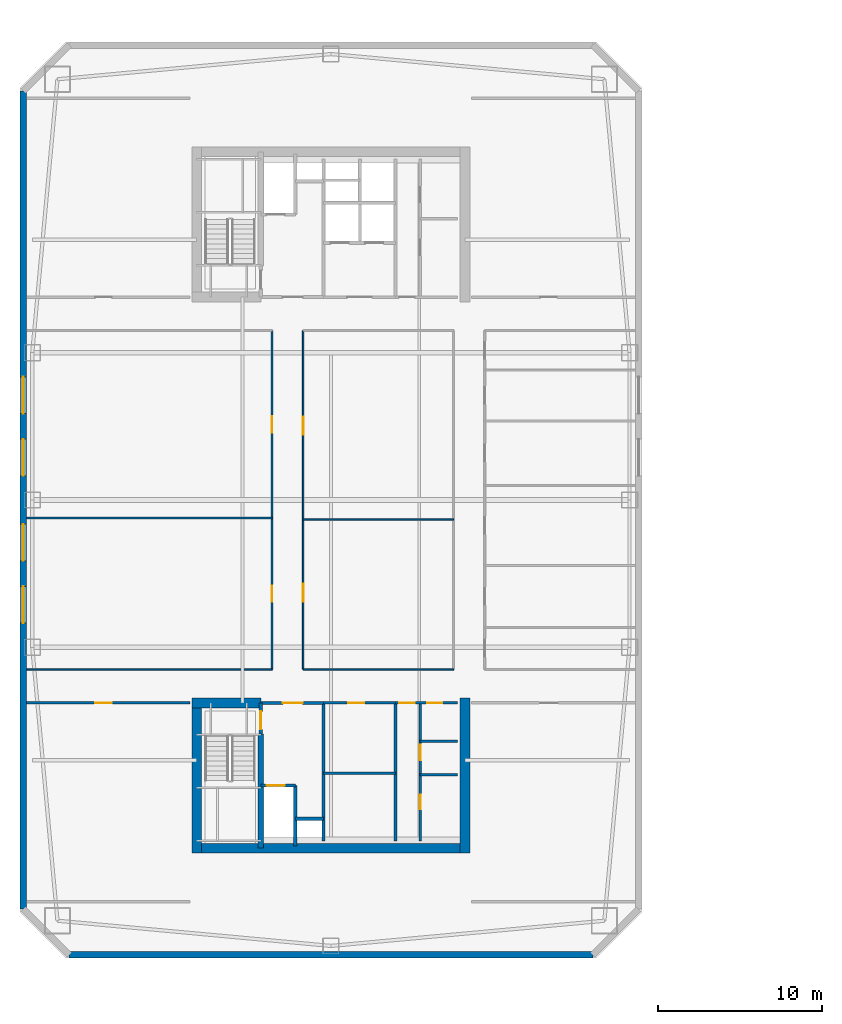
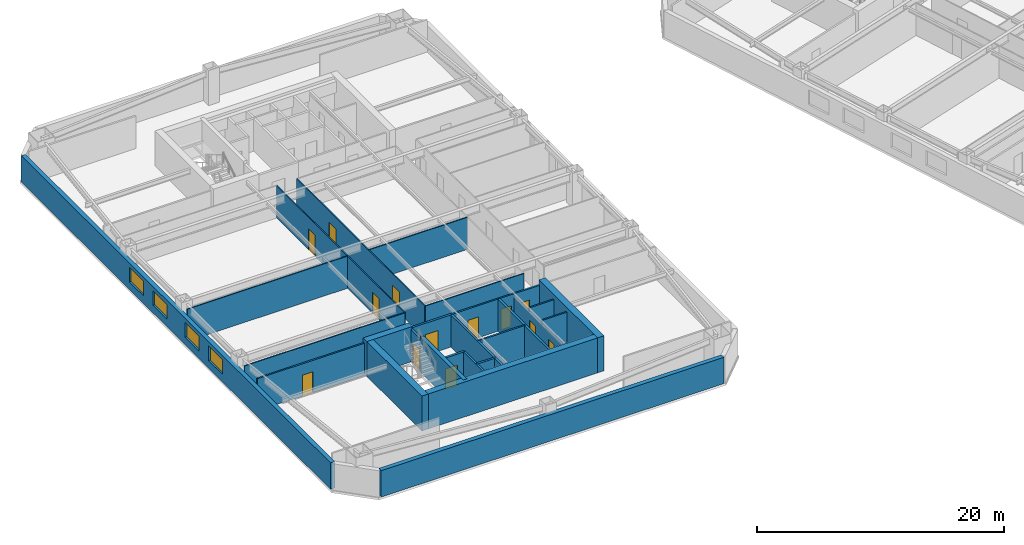
# One storey, part 3 of 10: 27 walls, 13 doors, 4 windows, 17 openings.
"""IFC4 building model written with IfcOpenShell, lengths in metres."""

from ifc_helpers import new_model, si_unit, direction, frame, frame_2d, origin, place, context, subcontext, project, spatial, rectangle, extrude, material, layer, layer_set, type_object, element, fill, save


model = new_model("IFC4")

# Units and contexts
model_context = context("Model", 3, precision=1e-05, world=origin(), true_north=direction((0.0, 1.0)))
body_context = subcontext(model_context, "Body", "Model", "MODEL_VIEW")
ifc_project = project(units=[si_unit("LENGTHUNIT", "METRE"), si_unit("AREAUNIT", "SQUARE_METRE"), si_unit("VOLUMEUNIT", "CUBIC_METRE"), si_unit("PLANEANGLEUNIT", "RADIAN"), si_unit("MASSUNIT", "GRAM", prefix="KILO")], contexts=[model_context])

# Site, building, storey
site_placement = place(None, origin())
site = spatial("IfcSite", under=ifc_project, at=site_placement, CompositionType="ELEMENT")
building_placement = place(site_placement, origin())
building = spatial("IfcBuilding", under=site, at=building_placement, Name="Qiaolan Cultural Towers", CompositionType="ELEMENT")
storey_placement = place(building_placement, frame((0.0, 0.0, 127.64990234375)))
storey = spatial("IfcBuildingStorey", under=building, at=storey_placement, Name="L33", CompositionType="ELEMENT", Elevation=127.64990234375)

# Walls
ifc_material_1 = material(Name="Concrete C50", Category="concrete")
ifc_layer_1 = layer(ifc_material_1, 0.35009765625)
ifc_layer_set_1 = layer_set([ifc_layer_1], Name="Concrete C50")
wall_type_1 = type_object("IfcWallType", Name="WL-CORE-350", PredefinedType="SHEAR", material=ifc_layer_set_1)
wall_1_placement = place(storey_placement, frame((25.719970703125, 19.699951171875, 0.0), z_axis=(0.0, 0.0, 1.0), x_axis=(0.0, -1.0, 0.0)))
element("IfcWall", 1, at=wall_1_placement, inside=storey, type_object=wall_type_1, Name="L33 T1-CS Stair Core Dividing Web", PredefinedType="SHEAR", context=body_context, shape_type="SweptSolid", body=[
    extrude(rectangle(XDim=6.97998046875, YDim=0.35009765625, at=frame_2d((3.489990234375, 0.0))), origin(), (0.0, 0.0, 1.0), 3.4501953125),
])
ifc_material_2 = material(Name="Concrete C55", Category="concrete")
ifc_layer_2 = layer(ifc_material_2, 0.60009765625)
ifc_layer_set_2 = layer_set([ifc_layer_2], Name="Concrete C55")
wall_type_2 = type_object("IfcWallType", Name="WL-CORE-600", PredefinedType="SHEAR", material=ifc_layer_set_2)
wall_2_placement = place(storey_placement, frame((21.5, 12.719970703125, 0.0), z_axis=(0.0, 0.0, 1.0), x_axis=(1.0, 0.0, 0.0)))
element("IfcWall", 2, at=wall_2_placement, inside=storey, type_object=wall_type_2, Name="L33 T1-CS Outer Core Shear Wall", PredefinedType="SHEAR", context=body_context, shape_type="SweptSolid", body=[
    extrude(rectangle(XDim=17.0, YDim=0.60009765625, at=frame_2d((8.5, 0.0))), origin(), (0.0, 0.0, 1.0), 3.4501953125),
])
for number, where, z_axis, x_axis, name in (
    (3, (21.800048828125, 21.89990234375, 0.0), (0.0, 0.0, 1.0), (0.0, -1.0, 0.0), "L33 T1-CS West Core Shear Wall"),
    (4, (38.199951171875, 21.89990234375, 0.0), (0.0, 0.0, 1.0), (0.0, -1.0, 0.0), "L33 T1-CS East Core Shear Wall"),
):
    element("IfcWall", number, at=place(storey_placement, frame(where, z_axis=z_axis, x_axis=x_axis)), inside=storey, type_object=wall_type_2, Name=name, PredefinedType="SHEAR", context=body_context, shape_type="SweptSolid", body=[
        extrude(rectangle(XDim=9.47998046875, YDim=0.60009765625, at=frame_2d((4.739990234375, 0.0))), origin(), (0.0, 0.0, 1.0), 3.4501953125),
    ])
wall_3_placement = place(storey_placement, frame((21.5, 21.60009765625, 0.0), z_axis=(0.0, 0.0, 1.0), x_axis=(1.0, 0.0, 0.0)))
element("IfcWall", 5, at=wall_3_placement, inside=storey, type_object=wall_type_2, Name="L33 T1-CS Stair Front Shear Wall", PredefinedType="SHEAR", context=body_context, shape_type="SweptSolid", body=[
    extrude(rectangle(XDim=4.219970703125, YDim=0.60009765625, at=frame_2d((2.10986328125, 0.0))), origin(), (0.0, 0.0, 1.0), 3.4501953125),
])

# Wall, openings, windows
ifc_material_3 = material(Name="Precast Concrete C50 Honed Stone Pier", Category="masonry")
ifc_layer_3 = layer(ifc_material_3, 0.39990234375)
ifc_layer_set_3 = layer_set([ifc_layer_3], Name="Precast Concrete C50 Honed Stone Pier")
wall_type_3 = type_object("IfcWallType", Name="WL-EXT-PIER-400", PredefinedType="SOLIDWALL", material=ifc_layer_set_3)
wall_4_placement = place(storey_placement, frame((11.199951171875, 9.0, 0.0), z_axis=(0.0, 0.0, 1.0), x_axis=(0.0, 1.0, 0.0)))
wall_4 = element("IfcWall", 6, at=wall_4_placement, inside=storey, type_object=wall_type_3, Name="L33 West Tower Precast Pier Facade Wall F1", PredefinedType="SOLIDWALL", context=body_context, shape_type="SweptSolid", body=[
    extrude(rectangle(XDim=50.0, YDim=0.39990234375, at=frame_2d((25.0, 0.0))), origin(), (0.0, 0.0, 1.0), 2.610107421875),
])
opening_1_placement = place(wall_4_placement, frame((17.47509765625, 0.0, 0.75)))
opening_1 = element("IfcOpeningElement", 7, at=opening_1_placement, cuts=wall_4, Name="Opening W-03", PredefinedType="OPENING", context=body_context, shape_type="SweptSolid", body=[
    extrude(rectangle(XDim=2.25, YDim=1.4599609375, at=frame_2d((1.125, 0.72998046875))), frame((0.0, 0.2099609375, 0.0), z_axis=(0.0, -1.0, 0.0), x_axis=(1.0, 0.0, 0.0)), (0.0, 0.0, 1.0), 0.419921875),
])
opening_2_placement = place(wall_4_placement, frame((21.27490234375, 0.0, 0.75)))
opening_2 = element("IfcOpeningElement", 8, at=opening_2_placement, cuts=wall_4, Name="Opening W-03", PredefinedType="OPENING", context=body_context, shape_type="SweptSolid", body=[
    extrude(rectangle(XDim=2.25, YDim=1.4599609375, at=frame_2d((1.125, 0.72998046875))), frame((0.0, 0.2099609375, 0.0), z_axis=(0.0, -1.0, 0.0), x_axis=(1.0, 0.0, 0.0)), (0.0, 0.0, 1.0), 0.419921875),
])
opening_3_placement = place(wall_4_placement, frame((26.47509765625, 0.0, 0.75)))
opening_3 = element("IfcOpeningElement", 9, at=opening_3_placement, cuts=wall_4, Name="Opening W-03", PredefinedType="OPENING", context=body_context, shape_type="SweptSolid", body=[
    extrude(rectangle(XDim=2.25, YDim=1.4599609375, at=frame_2d((1.125, 0.72998046875))), frame((0.0, 0.2099609375, 0.0), z_axis=(0.0, -1.0, 0.0), x_axis=(1.0, 0.0, 0.0)), (0.0, 0.0, 1.0), 0.419921875),
])
opening_4_placement = place(wall_4_placement, frame((30.27490234375, 0.0, 0.75)))
opening_4 = element("IfcOpeningElement", 10, at=opening_4_placement, cuts=wall_4, Name="Opening W-03", PredefinedType="OPENING", context=body_context, shape_type="SweptSolid", body=[
    extrude(rectangle(XDim=2.25, YDim=1.4599609375, at=frame_2d((1.125, 0.72998046875))), frame((0.0, 0.2099609375, 0.0), z_axis=(0.0, -1.0, 0.0), x_axis=(1.0, 0.0, 0.0)), (0.0, 0.0, 1.0), 0.419921875),
])
ifc_material_4 = material(Name="Thermally Broken Aluminium Triple Low-E Glazing", Category="aluminium")
window_type = type_object("IfcWindowType", Name="WN-CHIC-2250", PartitioningType="SINGLE_PANEL", PredefinedType="WINDOW", material=ifc_material_4)
window_1_placement = place(opening_1_placement, origin())
window_1 = element("IfcWindow", 11, at=window_1_placement, inside=storey, type_object=window_type, Name="L33 T1 W Chicago Bay Window 1", OverallHeight=1.4599609375, OverallWidth=2.25, PartitioningType="TRIPLE_PANEL_VERTICAL", PredefinedType="WINDOW", context=body_context, shape_type="SweptSolid", body=[
    extrude(rectangle(XDim=2.25, YDim=1.4599609375, at=frame_2d((1.125, 0.72998046875))), frame((0.0, 0.030029296875, 0.0), z_axis=(0.0, -1.0, 0.0), x_axis=(1.0, 0.0, 0.0)), (0.0, 0.0, 1.0), 0.06005859375),
])
fill(opening_1, window_1)
window_2_placement = place(opening_2_placement, origin())
window_2 = element("IfcWindow", 12, at=window_2_placement, inside=storey, type_object=window_type, Name="L33 T1 W Chicago Bay Window 2", OverallHeight=1.4599609375, OverallWidth=2.25, PartitioningType="TRIPLE_PANEL_VERTICAL", PredefinedType="WINDOW", context=body_context, shape_type="SweptSolid", body=[
    extrude(rectangle(XDim=2.25, YDim=1.4599609375, at=frame_2d((1.125, 0.72998046875))), frame((0.0, 0.030029296875, 0.0), z_axis=(0.0, -1.0, 0.0), x_axis=(1.0, 0.0, 0.0)), (0.0, 0.0, 1.0), 0.06005859375),
])
fill(opening_2, window_2)
window_3_placement = place(opening_3_placement, origin())
window_3 = element("IfcWindow", 13, at=window_3_placement, inside=storey, type_object=window_type, Name="L33 T1 W Chicago Bay Window 3", OverallHeight=1.4599609375, OverallWidth=2.25, PartitioningType="TRIPLE_PANEL_VERTICAL", PredefinedType="WINDOW", context=body_context, shape_type="SweptSolid", body=[
    extrude(rectangle(XDim=2.25, YDim=1.4599609375, at=frame_2d((1.125, 0.72998046875))), frame((0.0, 0.030029296875, 0.0), z_axis=(0.0, -1.0, 0.0), x_axis=(1.0, 0.0, 0.0)), (0.0, 0.0, 1.0), 0.06005859375),
])
fill(opening_3, window_3)
window_4_placement = place(opening_4_placement, origin())
window_4 = element("IfcWindow", 14, at=window_4_placement, inside=storey, type_object=window_type, Name="L33 T1 W Chicago Bay Window 4", OverallHeight=1.4599609375, OverallWidth=2.25, PartitioningType="TRIPLE_PANEL_VERTICAL", PredefinedType="WINDOW", context=body_context, shape_type="SweptSolid", body=[
    extrude(rectangle(XDim=2.25, YDim=1.4599609375, at=frame_2d((1.125, 0.72998046875))), frame((0.0, 0.030029296875, 0.0), z_axis=(0.0, -1.0, 0.0), x_axis=(1.0, 0.0, 0.0)), (0.0, 0.0, 1.0), 0.06005859375),
])
fill(opening_4, window_4)

# Wall
wall_5_placement = place(storey_placement, frame((46.0, 6.199951171875, 0.0), z_axis=(0.0, 0.0, 1.0), x_axis=(-1.0, 0.0, 0.0)))
element("IfcWall", 15, at=wall_5_placement, inside=storey, type_object=wall_type_3, Name="L33 West Tower Precast Pier Facade Wall F7", PredefinedType="SOLIDWALL", context=body_context, shape_type="SweptSolid", body=[
    extrude(rectangle(XDim=32.0, YDim=0.39990234375, at=frame_2d((16.0, 0.0))), origin(), (0.0, 0.0, 1.0), 2.610107421875),
])

# Wall, opening, door
ifc_material_5 = material(Name="Concrete C35 Fire Wall", Category="concrete")
ifc_layer_4 = layer(ifc_material_5, 0.199951171875)
ifc_layer_set_4 = layer_set([ifc_layer_4], Name="Concrete C35 Fire Wall")
wall_type_4 = type_object("IfcWallType", Name="WL-FIRE-200", PredefinedType="PARTITIONING", material=ifc_layer_set_4)
wall_6_placement = place(storey_placement, frame((25.719970703125, 21.60009765625, 0.0), z_axis=(0.0, 0.0, 1.0), x_axis=(0.0, -1.0, 0.0)))
wall_6 = element("IfcWall", 16, at=wall_6_placement, inside=storey, type_object=wall_type_4, Name="L33 T1-CS Smokeproof Stair Entry Wall", PredefinedType="PARTITIONING", context=body_context, shape_type="SweptSolid", body=[
    extrude(rectangle(XDim=1.900146484375, YDim=0.199951171875, at=frame_2d((0.9501953125, 0.0))), origin(), (0.0, 0.0, 1.0), 3.175048828125),
])
opening_5_placement = place(wall_6_placement, frame((0.52001953125, 0.0, 0.0)))
opening_5 = element("IfcOpeningElement", 17, at=opening_5_placement, cuts=wall_6, Name="Opening FD-04", PredefinedType="OPENING", context=body_context, shape_type="SweptSolid", body=[
    extrude(rectangle(XDim=1.10009765625, YDim=2.050048828125, at=frame_2d((0.550048828125, 1.02490234375))), frame((0.0, 0.10986328125, 0.0), z_axis=(0.0, -1.0, 0.0), x_axis=(1.0, 0.0, 0.0)), (0.0, 0.0, 1.0), 0.219970703125),
])
ifc_material_6 = material(Name="Galvanized Steel Command Fire Door", Category="steel")
door_type_1 = type_object("IfcDoorType", Name="DR-FD90-1100", OperationType="NOTDEFINED", PredefinedType="DOOR", material=ifc_material_6)
door_1_placement = place(opening_5_placement, origin())
door_1 = element("IfcDoor", 18, at=door_1_placement, inside=storey, type_object=door_type_1, Name="L33 ST-W1 Smokeproof Stair Fire Door", OperationType="SINGLE_SWING_LEFT", OverallHeight=2.050048828125, OverallWidth=1.10009765625, PredefinedType="DOOR", context=body_context, shape_type="SweptSolid", body=[
    extrude(rectangle(XDim=1.10009765625, YDim=2.050048828125, at=frame_2d((0.550048828125, 1.02490234375))), frame((0.0, 0.02490234375, 0.0), z_axis=(0.0, -1.0, 0.0), x_axis=(1.0, 0.0, 0.0)), (0.0, 0.0, 1.0), 0.050048828125),
])
fill(opening_5, door_1)

# Wall
wall_7_placement = place(storey_placement, frame((29.550048828125, 21.60009765625, 0.0), z_axis=(0.0, 0.0, 1.0), x_axis=(0.0, -1.0, 0.0)))
element("IfcWall", 19, at=wall_7_placement, inside=storey, type_object=wall_type_4, Name="L33 T1-CS Firefighting Zone Wall", PredefinedType="PARTITIONING", context=body_context, shape_type="SweptSolid", body=[
    extrude(rectangle(XDim=8.43017578125, YDim=0.199951171875, at=frame_2d((4.215087890625, 0.0))), origin(), (0.0, 0.0, 1.0), 3.175048828125),
])

# Wall, opening, door
wall_8_placement = place(storey_placement, frame((25.719970703125, 21.60009765625, 0.0), z_axis=(0.0, 0.0, 1.0), x_axis=(1.0, 0.0, 0.0)))
wall_8 = element("IfcWall", 20, at=wall_8_placement, inside=storey, type_object=wall_type_4, Name="L33 T1-CS Firefighting Lobby Front Wall", PredefinedType="PARTITIONING", context=body_context, shape_type="SweptSolid", body=[
    extrude(rectangle(XDim=3.830078125, YDim=0.199951171875, at=frame_2d((1.9150390625, 0.0))), origin(), (0.0, 0.0, 1.0), 3.175048828125),
])
opening_6_placement = place(wall_8_placement, frame((1.35009765625, 0.0, 0.0)))
opening_6 = element("IfcOpeningElement", 21, at=opening_6_placement, cuts=wall_8, Name="Opening FD-03", PredefinedType="OPENING", context=body_context, shape_type="SweptSolid", body=[
    extrude(rectangle(XDim=1.199951171875, YDim=2.050048828125, at=frame_2d((0.60009765625, 1.02490234375))), frame((0.0, 0.10986328125, 0.0), z_axis=(0.0, -1.0, 0.0), x_axis=(1.0, 0.0, 0.0)), (0.0, 0.0, 1.0), 0.219970703125),
])
ifc_material_7 = material(Name="Galvanized Steel Smokeproof Lobby Fire Door", Category="steel")
door_type_2 = type_object("IfcDoorType", Name="DR-FD90-1200", OperationType="NOTDEFINED", PredefinedType="DOOR", material=ifc_material_7)
door_2_placement = place(opening_6_placement, origin())
door_2 = element("IfcDoor", 22, at=door_2_placement, inside=storey, type_object=door_type_2, Name="L33 FFL-W1 Firefighting Lobby Fire Door", OperationType="SINGLE_SWING_LEFT", OverallHeight=2.050048828125, OverallWidth=1.199951171875, PredefinedType="DOOR", context=body_context, shape_type="SweptSolid", body=[
    extrude(rectangle(XDim=1.199951171875, YDim=2.050048828125, at=frame_2d((0.60009765625, 1.02490234375))), frame((0.0, 0.02490234375, 0.0), z_axis=(0.0, -1.0, 0.0), x_axis=(1.0, 0.0, 0.0)), (0.0, 0.0, 1.0), 0.050048828125),
])
fill(opening_6, door_2)

wall_9_placement = place(storey_placement, frame((25.719970703125, 16.550048828125, 0.0), z_axis=(0.0, 0.0, 1.0), x_axis=(1.0, 0.0, 0.0)))
wall_9 = element("IfcWall", 23, at=wall_9_placement, inside=storey, type_object=wall_type_4, Name="L33 T1-CS Firefighting Shaft Front Wall", PredefinedType="PARTITIONING", context=body_context, shape_type="SweptSolid", body=[
    extrude(rectangle(XDim=2.10009765625, YDim=0.199951171875, at=frame_2d((1.050048828125, 0.0))), origin(), (0.0, 0.0, 1.0), 3.175048828125),
])
opening_7_placement = place(wall_9_placement, frame((0.35009765625, 0.0, 0.0)))
opening_7 = element("IfcOpeningElement", 24, at=opening_7_placement, cuts=wall_9, Name="Opening LD-01", PredefinedType="OPENING", context=body_context, shape_type="SweptSolid", body=[
    extrude(rectangle(XDim=1.10009765625, YDim=2.050048828125, at=frame_2d((0.550048828125, 1.02490234375))), frame((0.0, 0.10986328125, 0.0), z_axis=(0.0, -1.0, 0.0), x_axis=(1.0, 0.0, 0.0)), (0.0, 0.0, 1.0), 0.219970703125),
])
ifc_material_8 = material(Name="Brushed Stainless Steel S30408 Centre-Parting Lift Landing Door", Category="steel")
door_type_3 = type_object("IfcDoorType", Name="DR-LIFT-1100", OperationType="NOTDEFINED", PredefinedType="DOOR", material=ifc_material_8)
door_3_placement = place(opening_7_placement, origin())
door_3 = element("IfcDoor", 25, at=door_3_placement, inside=storey, type_object=door_type_3, Name="L33 FFL-W1 Firefighting Lift Landing Door", OperationType="DOUBLE_DOOR_SLIDING", OverallHeight=2.050048828125, OverallWidth=1.10009765625, PredefinedType="DOOR", context=body_context, shape_type="SweptSolid", body=[
    extrude(rectangle(XDim=1.10009765625, YDim=2.050048828125, at=frame_2d((0.550048828125, 1.02490234375))), frame((0.0, 0.02490234375, 0.0), z_axis=(0.0, -1.0, 0.0), x_axis=(1.0, 0.0, 0.0)), (0.0, 0.0, 1.0), 0.050048828125),
])
fill(opening_7, door_3)

# Walls
wall_10_placement = place(storey_placement, frame((27.820068359375, 16.550048828125, 0.0), z_axis=(0.0, 0.0, 1.0), x_axis=(0.0, -1.0, 0.0)))
element("IfcWall", 26, at=wall_10_placement, inside=storey, type_object=wall_type_4, Name="L33 T1-CS Firefighting Hoistway East Wall", PredefinedType="PARTITIONING", context=body_context, shape_type="SweptSolid", body=[
    extrude(rectangle(XDim=3.699951171875, YDim=0.199951171875, at=frame_2d((1.85009765625, 0.0))), origin(), (0.0, 0.0, 1.0), 3.175048828125),
])
wall_11_placement = place(storey_placement, frame((27.820068359375, 14.52001953125, 0.0), z_axis=(0.0, 0.0, 1.0), x_axis=(1.0, 0.0, 0.0)))
element("IfcWall", 27, at=wall_11_placement, inside=storey, type_object=wall_type_4, Name="L33 T1-CS Pressurization Shaft Front Wall", PredefinedType="PARTITIONING", context=body_context, shape_type="SweptSolid", body=[
    extrude(rectangle(XDim=1.72998046875, YDim=0.199951171875, at=frame_2d((0.864990234375, 0.0))), origin(), (0.0, 0.0, 1.0), 3.175048828125),
])
wall_12_placement = place(storey_placement, frame((33.949951171875, 21.60009765625, 0.0), z_axis=(0.0, 0.0, 1.0), x_axis=(0.0, -1.0, 0.0)))
element("IfcWall", 28, at=wall_12_placement, inside=storey, type_object=wall_type_4, Name="L33 T1-CS Lift Core East Wall", PredefinedType="PARTITIONING", context=body_context, shape_type="SweptSolid", body=[
    extrude(rectangle(XDim=8.43017578125, YDim=0.199951171875, at=frame_2d((4.215087890625, 0.0))), origin(), (0.0, 0.0, 1.0), 3.175048828125),
])
ifc_material_9 = material(Name="Acoustic Double-Glazed Partition Frame", Category="glass")
ifc_layer_5 = layer(ifc_material_9, 0.10009765625)
ifc_layer_set_5 = layer_set([ifc_layer_5], Name="Acoustic Double-Glazed Partition Frame")
wall_type_5 = type_object("IfcWallType", Name="WL-GLAZED-100", PredefinedType="MOVABLE", material=ifc_layer_set_5)
wall_13_placement = place(storey_placement, frame((11.39990234375, 23.64990234375, 0.0), z_axis=(0.0, 0.0, 1.0), x_axis=(1.0, 0.0, 0.0)))
element("IfcWall", 29, at=wall_13_placement, inside=storey, type_object=wall_type_5, Name="L33 T1 Interior Wall", PredefinedType="MOVABLE", context=body_context, shape_type="SweptSolid", body=[
    extrude(rectangle(XDim=15.0, YDim=0.10009765625, at=frame_2d((7.5, 0.0))), origin(), (0.0, 0.0, 1.0), 3.175048828125),
])
wall_14_placement = place(storey_placement, frame((28.300048828125, 23.64990234375, 0.0), z_axis=(0.0, 0.0, 1.0), x_axis=(1.0, 0.0, 0.0)))
element("IfcWall", 30, at=wall_14_placement, inside=storey, type_object=wall_type_5, Name="L33 T1 Interior Wall", PredefinedType="MOVABLE", context=body_context, shape_type="SweptSolid", body=[
    extrude(rectangle(XDim=9.199951171875, YDim=0.10009765625, at=frame_2d((4.60009765625, 0.0))), origin(), (0.0, 0.0, 1.0), 3.175048828125),
])

# Wall, openings, doors
wall_15_placement = place(storey_placement, frame((26.39990234375, 23.64990234375, 0.0), z_axis=(0.0, 0.0, 1.0), x_axis=(0.0, 1.0, 0.0)))
wall_15 = element("IfcWall", 31, at=wall_15_placement, inside=storey, type_object=wall_type_5, Name="L33 T1 Interior Wall", PredefinedType="MOVABLE", context=body_context, shape_type="SweptSolid", body=[
    extrude(rectangle(XDim=20.7001953125, YDim=0.10009765625, at=frame_2d((10.35009765625, 0.0))), origin(), (0.0, 0.0, 1.0), 3.175048828125),
])
opening_8_placement = place(wall_15_placement, frame((4.12353515625, 0.0, 0.0)))
opening_8 = element("IfcOpeningElement", 32, at=opening_8_placement, cuts=wall_15, Name="Opening ID-04", PredefinedType="OPENING", context=body_context, shape_type="SweptSolid", body=[
    extrude(rectangle(XDim=1.0, YDim=2.050048828125, at=frame_2d((0.5, 1.02490234375))), frame((0.0, 0.06005859375, 0.0), z_axis=(0.0, -1.0, 0.0), x_axis=(1.0, 0.0, 0.0)), (0.0, 0.0, 1.0), 0.1201171875),
])
opening_9_placement = place(wall_15_placement, frame((14.473388671875, 0.0, 0.0)))
opening_9 = element("IfcOpeningElement", 33, at=opening_9_placement, cuts=wall_15, Name="Opening ID-04", PredefinedType="OPENING", context=body_context, shape_type="SweptSolid", body=[
    extrude(rectangle(XDim=1.0, YDim=2.050048828125, at=frame_2d((0.5, 1.02490234375))), frame((0.0, 0.06005859375, 0.0), z_axis=(0.0, -1.0, 0.0), x_axis=(1.0, 0.0, 0.0)), (0.0, 0.0, 1.0), 0.1201171875),
])
ifc_material_10 = material(Name="Oak Veneer Acoustic Office Door", Category="timber")
door_type_4 = type_object("IfcDoorType", Name="DR-INT-1000", OperationType="NOTDEFINED", PredefinedType="DOOR", material=ifc_material_10)
door_4_placement = place(opening_8_placement, origin())
door_4 = element("IfcDoor", 34, at=door_4_placement, inside=storey, type_object=door_type_4, Name="L33 T1 Design Research Studio Door", OperationType="SINGLE_SWING_LEFT", OverallHeight=2.050048828125, OverallWidth=1.0, PredefinedType="DOOR", context=body_context, shape_type="SweptSolid", body=[
    extrude(rectangle(XDim=1.0, YDim=2.050048828125, at=frame_2d((0.5, 1.02490234375))), frame((0.0, 0.02490234375, 0.0), z_axis=(0.0, -1.0, 0.0), x_axis=(1.0, 0.0, 0.0)), (0.0, 0.0, 1.0), 0.050048828125),
])
fill(opening_8, door_4)
door_5_placement = place(opening_9_placement, origin())
door_5 = element("IfcDoor", 35, at=door_5_placement, inside=storey, type_object=door_type_4, Name="L33 T1 Design Research Studio Door", OperationType="SINGLE_SWING_RIGHT", OverallHeight=2.050048828125, OverallWidth=1.0, PredefinedType="DOOR", context=body_context, shape_type="SweptSolid", body=[
    extrude(rectangle(XDim=1.0, YDim=2.050048828125, at=frame_2d((0.5, 1.02490234375))), frame((0.0, 0.02490234375, 0.0), z_axis=(0.0, -1.0, 0.0), x_axis=(1.0, 0.0, 0.0)), (0.0, 0.0, 1.0), 0.050048828125),
])
fill(opening_9, door_5)

wall_16_placement = place(storey_placement, frame((28.300048828125, 23.64990234375, 0.0), z_axis=(0.0, 0.0, 1.0), x_axis=(0.0, 1.0, 0.0)))
wall_16 = element("IfcWall", 36, at=wall_16_placement, inside=storey, type_object=wall_type_5, Name="L33 T1 Interior Wall", PredefinedType="MOVABLE", context=body_context, shape_type="SweptSolid", body=[
    extrude(rectangle(XDim=20.7001953125, YDim=0.10009765625, at=frame_2d((10.35009765625, 0.0))), origin(), (0.0, 0.0, 1.0), 3.175048828125),
])
opening_10_placement = place(wall_16_placement, frame((4.117431640625, 0.0, 0.0)))
opening_10 = element("IfcOpeningElement", 37, at=opening_10_placement, cuts=wall_16, Name="Opening ID-03", PredefinedType="OPENING", context=body_context, shape_type="SweptSolid", body=[
    extrude(rectangle(XDim=1.10009765625, YDim=2.050048828125, at=frame_2d((0.550048828125, 1.02490234375))), frame((0.0, 0.06005859375, 0.0), z_axis=(0.0, -1.0, 0.0), x_axis=(1.0, 0.0, 0.0)), (0.0, 0.0, 1.0), 0.1201171875),
])
opening_11_placement = place(wall_16_placement, frame((14.347412109375, 0.0, 0.0)))
opening_11 = element("IfcOpeningElement", 38, at=opening_11_placement, cuts=wall_16, Name="Opening ID-03", PredefinedType="OPENING", context=body_context, shape_type="SweptSolid", body=[
    extrude(rectangle(XDim=1.10009765625, YDim=2.050048828125, at=frame_2d((0.550048828125, 1.02490234375))), frame((0.0, 0.06005859375, 0.0), z_axis=(0.0, -1.0, 0.0), x_axis=(1.0, 0.0, 0.0)), (0.0, 0.0, 1.0), 0.1201171875),
])
ifc_material_11 = material(Name="Oak Veneer Solid-Core Boardroom Door", Category="timber")
door_type_5 = type_object("IfcDoorType", Name="DR-INT-1100", OperationType="NOTDEFINED", PredefinedType="DOOR", material=ifc_material_11)
door_6_placement = place(opening_10_placement, origin())
door_6 = element("IfcDoor", 39, at=door_6_placement, inside=storey, type_object=door_type_5, Name="L33 T1 Central Boardroom Door", OperationType="SINGLE_SWING_LEFT", OverallHeight=2.050048828125, OverallWidth=1.10009765625, PredefinedType="DOOR", context=body_context, shape_type="SweptSolid", body=[
    extrude(rectangle(XDim=1.10009765625, YDim=2.050048828125, at=frame_2d((0.550048828125, 1.02490234375))), frame((0.0, 0.02490234375, 0.0), z_axis=(0.0, -1.0, 0.0), x_axis=(1.0, 0.0, 0.0)), (0.0, 0.0, 1.0), 0.050048828125),
])
fill(opening_10, door_6)
door_7_placement = place(opening_11_placement, origin())
door_7 = element("IfcDoor", 40, at=door_7_placement, inside=storey, type_object=door_type_5, Name="L33 T1 Central Archive Salon Door", OperationType="SINGLE_SWING_RIGHT", OverallHeight=2.050048828125, OverallWidth=1.10009765625, PredefinedType="DOOR", context=body_context, shape_type="SweptSolid", body=[
    extrude(rectangle(XDim=1.10009765625, YDim=2.050048828125, at=frame_2d((0.550048828125, 1.02490234375))), frame((0.0, 0.02490234375, 0.0), z_axis=(0.0, -1.0, 0.0), x_axis=(1.0, 0.0, 0.0)), (0.0, 0.0, 1.0), 0.050048828125),
])
fill(opening_11, door_7)

# Walls
wall_17_placement = place(storey_placement, frame((28.300048828125, 32.800048828125, 0.0), z_axis=(0.0, 0.0, 1.0), x_axis=(1.0, 0.0, 0.0)))
element("IfcWall", 41, at=wall_17_placement, inside=storey, type_object=wall_type_5, Name="L33 T1 Interior Wall", PredefinedType="MOVABLE", context=body_context, shape_type="SweptSolid", body=[
    extrude(rectangle(XDim=9.199951171875, YDim=0.10009765625, at=frame_2d((4.60009765625, 0.0))), origin(), (0.0, 0.0, 1.0), 3.175048828125),
])
wall_18_placement = place(storey_placement, frame((11.39990234375, 32.89697265625, 0.0), z_axis=(0.0, 0.0, 1.0), x_axis=(1.0, 0.0, 0.0)))
element("IfcWall", 42, at=wall_18_placement, inside=storey, type_object=wall_type_5, Name="L33 T1 Interior Wall", PredefinedType="MOVABLE", context=body_context, shape_type="SweptSolid", body=[
    extrude(rectangle(XDim=15.0, YDim=0.10009765625, at=frame_2d((7.5, 0.0))), origin(), (0.0, 0.0, 1.0), 3.175048828125),
])

# Wall, opening, door
ifc_material_12 = material(Name="Autoclaved Aerated Concrete Block B06", Category="concrete")
ifc_layer_6 = layer(ifc_material_12, 0.14990234375)
ifc_layer_set_6 = layer_set([ifc_layer_6], Name="Autoclaved Aerated Concrete Block B06")
wall_type_6 = type_object("IfcWallType", Name="WL-PART-150", PredefinedType="PARTITIONING", material=ifc_layer_set_6)
wall_19_placement = place(storey_placement, frame((29.550048828125, 21.60009765625, 0.0), z_axis=(0.0, 0.0, 1.0), x_axis=(1.0, 0.0, 0.0)))
wall_19 = element("IfcWall", 43, at=wall_19_placement, inside=storey, type_object=wall_type_6, Name="L33 T1-CS Reclaimed Core Room Front Wall", PredefinedType="PARTITIONING", context=body_context, shape_type="SweptSolid", body=[
    extrude(rectangle(XDim=4.39990234375, YDim=0.14990234375, at=frame_2d((2.199951171875, 0.0))), origin(), (0.0, 0.0, 1.0), 3.175048828125),
])
opening_12_placement = place(wall_19_placement, frame((1.5, 0.0, 0.0)))
opening_12 = element("IfcOpeningElement", 44, at=opening_12_placement, cuts=wall_19, Name="Opening ID-04", PredefinedType="OPENING", context=body_context, shape_type="SweptSolid", body=[
    extrude(rectangle(XDim=1.0, YDim=2.050048828125, at=frame_2d((0.5, 1.02490234375))), frame((0.0, 0.0849609375, 0.0), z_axis=(0.0, -1.0, 0.0), x_axis=(1.0, 0.0, 0.0)), (0.0, 0.0, 1.0), 0.169921875),
])
door_8_placement = place(opening_12_placement, origin())
door_8 = element("IfcDoor", 45, at=door_8_placement, inside=storey, type_object=door_type_4, Name="L33 Focus Pod Room Door", OperationType="SINGLE_SWING_LEFT", OverallHeight=2.050048828125, OverallWidth=1.0, PredefinedType="DOOR", context=body_context, shape_type="SweptSolid", body=[
    extrude(rectangle(XDim=1.0, YDim=2.050048828125, at=frame_2d((0.5, 1.02490234375))), frame((0.0, 0.02490234375, 0.0), z_axis=(0.0, -1.0, 0.0), x_axis=(1.0, 0.0, 0.0)), (0.0, 0.0, 1.0), 0.050048828125),
])
fill(opening_12, door_8)

# Wall
wall_20_placement = place(storey_placement, frame((29.550048828125, 17.300048828125, 0.0), z_axis=(0.0, 0.0, 1.0), x_axis=(1.0, 0.0, 0.0)))
element("IfcWall", 46, at=wall_20_placement, inside=storey, type_object=wall_type_6, Name="L33 T1-CS Reclaimed Room Subdivider", PredefinedType="PARTITIONING", context=body_context, shape_type="SweptSolid", body=[
    extrude(rectangle(XDim=4.39990234375, YDim=0.14990234375, at=frame_2d((2.199951171875, 0.0))), origin(), (0.0, 0.0, 1.0), 3.175048828125),
])

# Wall, openings, doors
wall_21_placement = place(storey_placement, frame((33.949951171875, 21.60009765625, 0.0), z_axis=(0.0, 0.0, 1.0), x_axis=(1.0, 0.0, 0.0)))
wall_21 = element("IfcWall", 47, at=wall_21_placement, inside=storey, type_object=wall_type_6, Name="L33 T1-CS Sanitary Core Front Wall", PredefinedType="PARTITIONING", context=body_context, shape_type="SweptSolid", body=[
    extrude(rectangle(XDim=3.800048828125, YDim=0.14990234375, at=frame_2d((1.89990234375, 0.0))), origin(), (0.0, 0.0, 1.0), 3.175048828125),
])
opening_13_placement = place(wall_21_placement, frame((0.219970703125, 0.0, 0.0)))
opening_13 = element("IfcOpeningElement", 48, at=opening_13_placement, cuts=wall_21, Name="Opening ID-05", PredefinedType="OPENING", context=body_context, shape_type="SweptSolid", body=[
    extrude(rectangle(XDim=0.949951171875, YDim=2.050048828125, at=frame_2d((0.47509765625, 1.02490234375))), frame((0.0, 0.0849609375, 0.0), z_axis=(0.0, -1.0, 0.0), x_axis=(1.0, 0.0, 0.0)), (0.0, 0.0, 1.0), 0.169921875),
])
opening_14_placement = place(wall_21_placement, frame((1.949951171875, 0.0, 0.0)))
opening_14 = element("IfcOpeningElement", 49, at=opening_14_placement, cuts=wall_21, Name="Opening ID-06", PredefinedType="OPENING", context=body_context, shape_type="SweptSolid", body=[
    extrude(rectangle(XDim=0.89990234375, YDim=2.050048828125, at=frame_2d((0.449951171875, 1.02490234375))), frame((0.0, 0.0849609375, 0.0), z_axis=(0.0, -1.0, 0.0), x_axis=(1.0, 0.0, 0.0)), (0.0, 0.0, 1.0), 0.169921875),
])
ifc_material_13 = material(Name="Fire-Rated Laminate Core Service Door", Category="timber")
door_type_6 = type_object("IfcDoorType", Name="DR-INT-900", OperationType="NOTDEFINED", PredefinedType="DOOR", material=ifc_material_13)
door_9_placement = place(opening_14_placement, origin())
door_9 = element("IfcDoor", 50, at=door_9_placement, inside=storey, type_object=door_type_6, Name="L33 Core Tea Pantry Door", OperationType="SINGLE_SWING_RIGHT", OverallHeight=2.050048828125, OverallWidth=0.89990234375, PredefinedType="DOOR", context=body_context, shape_type="SweptSolid", body=[
    extrude(rectangle(XDim=0.89990234375, YDim=2.050048828125, at=frame_2d((0.449951171875, 1.02490234375))), frame((0.0, 0.02490234375, 0.0), z_axis=(0.0, -1.0, 0.0), x_axis=(1.0, 0.0, 0.0)), (0.0, 0.0, 1.0), 0.050048828125),
])
fill(opening_14, door_9)
ifc_material_14 = material(Name="Fire-Rated Laminate Accessible Core Door", Category="timber")
door_type_7 = type_object("IfcDoorType", Name="DR-INT-950", OperationType="NOTDEFINED", PredefinedType="DOOR", material=ifc_material_14)
door_10_placement = place(opening_13_placement, origin())
door_10 = element("IfcDoor", 51, at=door_10_placement, inside=storey, type_object=door_type_7, Name="L33 Sanitary Passage Door", OperationType="SINGLE_SWING_LEFT", OverallHeight=2.050048828125, OverallWidth=0.949951171875, PredefinedType="DOOR", context=body_context, shape_type="SweptSolid", body=[
    extrude(rectangle(XDim=0.949951171875, YDim=2.050048828125, at=frame_2d((0.47509765625, 1.02490234375))), frame((0.0, 0.02490234375, 0.0), z_axis=(0.0, -1.0, 0.0), x_axis=(1.0, 0.0, 0.0)), (0.0, 0.0, 1.0), 0.050048828125),
])
fill(opening_13, door_10)

wall_22_placement = place(storey_placement, frame((35.449951171875, 21.60009765625, 0.0), z_axis=(0.0, 0.0, 1.0), x_axis=(0.0, -1.0, 0.0)))
wall_22 = element("IfcWall", 52, at=wall_22_placement, inside=storey, type_object=wall_type_6, Name="L33 T1-CS Sanitary Corridor Wall", PredefinedType="PARTITIONING", context=body_context, shape_type="SweptSolid", body=[
    extrude(rectangle(XDim=8.43017578125, YDim=0.14990234375, at=frame_2d((4.215087890625, 0.0))), origin(), (0.0, 0.0, 1.0), 2.815185546875),
])
opening_15_placement = place(wall_22_placement, frame((2.550048828125, 0.0, 0.0)))
opening_15 = element("IfcOpeningElement", 53, at=opening_15_placement, cuts=wall_22, Name="Opening ID-05", PredefinedType="OPENING", context=body_context, shape_type="SweptSolid", body=[
    extrude(rectangle(XDim=0.949951171875, YDim=2.050048828125, at=frame_2d((0.47509765625, 1.02490234375))), frame((0.0, 0.0849609375, 0.0), z_axis=(0.0, -1.0, 0.0), x_axis=(1.0, 0.0, 0.0)), (0.0, 0.0, 1.0), 0.169921875),
])
opening_16_placement = place(wall_22_placement, frame((5.60009765625, 0.0, 0.0)))
opening_16 = element("IfcOpeningElement", 54, at=opening_16_placement, cuts=wall_22, Name="Opening ID-06", PredefinedType="OPENING", context=body_context, shape_type="SweptSolid", body=[
    extrude(rectangle(XDim=0.89990234375, YDim=2.050048828125, at=frame_2d((0.449951171875, 1.02490234375))), frame((0.0, 0.0849609375, 0.0), z_axis=(0.0, -1.0, 0.0), x_axis=(1.0, 0.0, 0.0)), (0.0, 0.0, 1.0), 0.169921875),
])
door_11_placement = place(opening_16_placement, origin())
door_11 = element("IfcDoor", 55, at=door_11_placement, inside=storey, type_object=door_type_6, Name="L33 Staff Restroom Door", OperationType="SINGLE_SWING_RIGHT", OverallHeight=2.050048828125, OverallWidth=0.89990234375, PredefinedType="DOOR", context=body_context, shape_type="SweptSolid", body=[
    extrude(rectangle(XDim=0.89990234375, YDim=2.050048828125, at=frame_2d((0.449951171875, 1.02490234375))), frame((0.0, 0.02490234375, 0.0), z_axis=(0.0, -1.0, 0.0), x_axis=(1.0, 0.0, 0.0)), (0.0, 0.0, 1.0), 0.050048828125),
])
fill(opening_16, door_11)
door_12_placement = place(opening_15_placement, origin())
door_12 = element("IfcDoor", 56, at=door_12_placement, inside=storey, type_object=door_type_7, Name="L33 Accessible Washroom Door", OperationType="SINGLE_SWING_LEFT", OverallHeight=2.050048828125, OverallWidth=0.949951171875, PredefinedType="DOOR", context=body_context, shape_type="SweptSolid", body=[
    extrude(rectangle(XDim=0.949951171875, YDim=2.050048828125, at=frame_2d((0.47509765625, 1.02490234375))), frame((0.0, 0.02490234375, 0.0), z_axis=(0.0, -1.0, 0.0), x_axis=(1.0, 0.0, 0.0)), (0.0, 0.0, 1.0), 0.050048828125),
])
fill(opening_15, door_12)

# Walls
for number, where, z_axis, x_axis, name in (
    (57, (35.449951171875, 17.199951171875, 0.0), (0.0, 0.0, 1.0), (1.0, 0.0, 0.0), "L33 T1-CS Restroom Split Wall"),
    (58, (35.449951171875, 19.25, 0.0), (0.0, 0.0, 1.0), (1.0, 0.0, 0.0), "L33 T1-CS Core Pantry Wall"),
):
    element("IfcWall", number, at=place(storey_placement, frame(where, z_axis=z_axis, x_axis=x_axis)), inside=storey, type_object=wall_type_6, Name=name, PredefinedType="PARTITIONING", context=body_context, shape_type="SweptSolid", body=[
        extrude(rectangle(XDim=2.300048828125, YDim=0.14990234375, at=frame_2d((1.14990234375, 0.0))), origin(), (0.0, 0.0, 1.0), 3.175048828125),
    ])

# Wall, opening, door
wall_23_placement = place(storey_placement, frame((11.39990234375, 21.60009765625, 0.0), z_axis=(0.0, 0.0, 1.0), x_axis=(1.0, 0.0, 0.0)))
wall_23 = element("IfcWall", 59, at=wall_23_placement, inside=storey, type_object=wall_type_6, Name="L33 T1 Flank Front FLK-SW", PredefinedType="PARTITIONING", context=body_context, shape_type="SweptSolid", body=[
    extrude(rectangle(XDim=10.0, YDim=0.14990234375, at=frame_2d((5.0, 0.0))), origin(), (0.0, 0.0, 1.0), 3.175048828125),
])
opening_17_placement = place(wall_23_placement, frame((4.199951171875, 0.0, 0.0)))
opening_17 = element("IfcOpeningElement", 60, at=opening_17_placement, cuts=wall_23, Name="Opening ID-04", PredefinedType="OPENING", context=body_context, shape_type="SweptSolid", body=[
    extrude(rectangle(XDim=1.0, YDim=2.050048828125, at=frame_2d((0.5, 1.02490234375))), frame((0.0, 0.0849609375, 0.0), z_axis=(0.0, -1.0, 0.0), x_axis=(1.0, 0.0, 0.0)), (0.0, 0.0, 1.0), 0.169921875),
])
door_13_placement = place(opening_17_placement, origin())
door_13 = element("IfcDoor", 61, at=door_13_placement, inside=storey, type_object=door_type_4, Name="L33 T1 Corner Studio Door", OperationType="SINGLE_SWING_LEFT", OverallHeight=2.050048828125, OverallWidth=1.0, PredefinedType="DOOR", context=body_context, shape_type="SweptSolid", body=[
    extrude(rectangle(XDim=1.0, YDim=2.050048828125, at=frame_2d((0.5, 1.02490234375))), frame((0.0, 0.02490234375, 0.0), z_axis=(0.0, -1.0, 0.0), x_axis=(1.0, 0.0, 0.0)), (0.0, 0.0, 1.0), 0.050048828125),
])
fill(opening_17, door_13)

save(model, "model.ifc")
